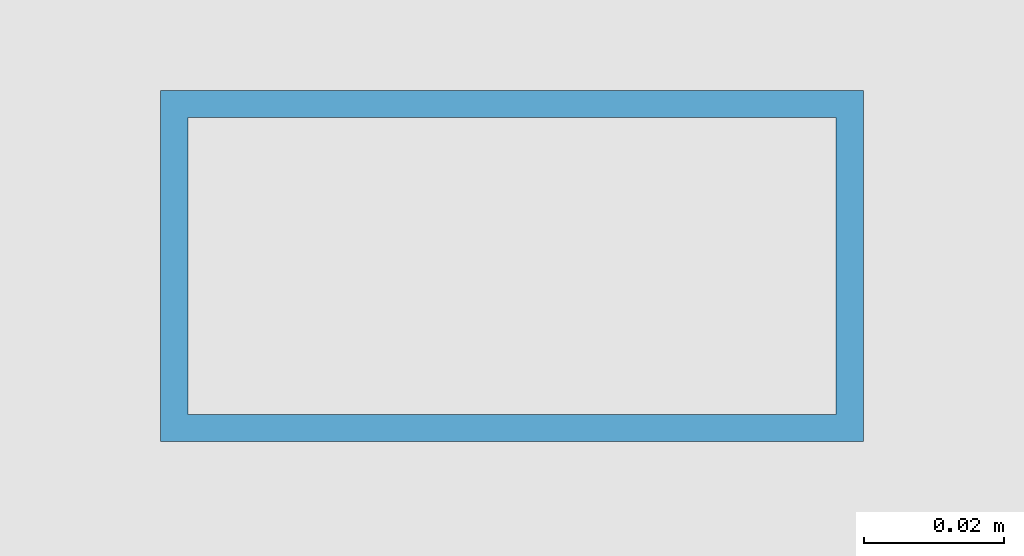
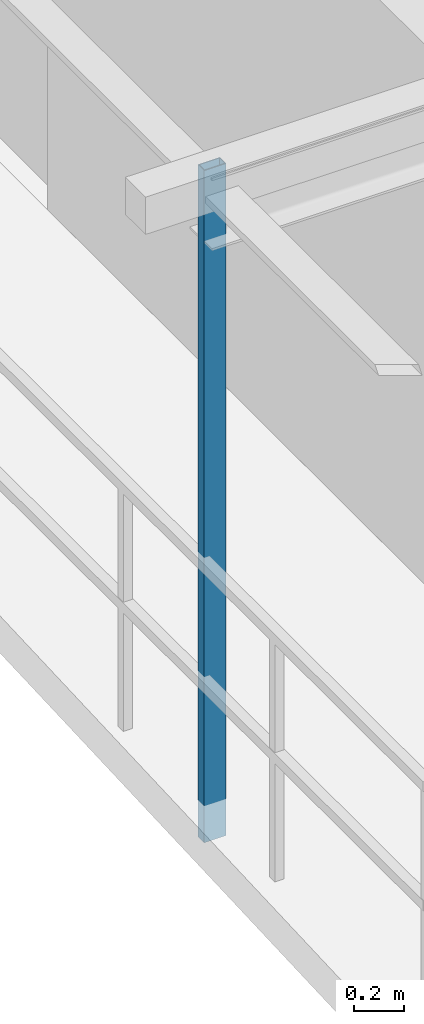
# One storey, part 3 of 16: 1 member.
"""IFC4 building model written with IfcOpenShell, lengths in metres."""

import ifcopenshell
import ifcopenshell.guid

model = None  # the IFC model being written
_history = None  # IfcOwnerHistory: only IFC2X3 demands one
_inside = {}  # id of a spatial element -> (the spatial element, [elements in it])
_under = {}  # id of a project, library or spatial element -> (it, [spatial elements below it])
_declared = {}  # id of a project -> (the project, [libraries it declares])
_typed = {}  # id of a type object -> (the type object, [elements of that type])
_made_of = {}  # id of a material, layer set ... -> (it, [elements and type objects made of it])


def new_model(schema):
    """Start an empty IFC model of exactly this schema.

    Asked for "IFC4X3", IfcOpenShell would pick the latest addendum, in which some entities
    have other attributes; the version numbers below select the first issue.
    IFC2X3 requires an IfcOwnerHistory on every rooted entity: one is made here for all.
    """
    global model, _history
    if schema == "IFC4X3":
        model = ifcopenshell.file(schema_version=(4, 3, 0, 0))
    else:
        model = ifcopenshell.file(schema=schema)
    _inside.clear()
    _under.clear()
    _declared.clear()
    _typed.clear()
    _made_of.clear()
    _history = None
    if model.schema == "IFC2X3":
        org = make("IfcOrganization", Name="unknown")
        user = make(
            "IfcPersonAndOrganization",
            ThePerson=make("IfcPerson", FamilyName="unknown"),
            TheOrganization=org,
        )
        app = make(
            "IfcApplication",
            ApplicationDeveloper=org,
            Version="unknown",
            ApplicationFullName="unknown",
            ApplicationIdentifier="unknown",
        )
        _history = make(
            "IfcOwnerHistory",
            OwningUser=user,
            OwningApplication=app,
            ChangeAction="ADDED",
            CreationDate=0,
        )
    return model


def make(cls, **values):
    """One entity of the class cls with the attributes given. An attribute that is None is left unset."""
    return model.create_entity(
        cls, **{name: value for name, value in values.items() if value is not None}
    )


def rooted(cls, **values):
    """An entity with a GlobalId (a new one), such as an element, a storey or a relation."""
    return make(cls, GlobalId=ifcopenshell.guid.new(), OwnerHistory=_history, **values)


def si_unit(unit_type, name, prefix=None):
    """IfcSIUnit, for example si_unit("LENGTHUNIT", "METRE", prefix="MILLI")."""
    return make("IfcSIUnit", UnitType=unit_type, Prefix=prefix, Name=name)


def assignment(units):
    """IfcUnitAssignment: the units of a project."""
    return None if units is None else make("IfcUnitAssignment", Units=units)


def point(xyz):
    """IfcCartesianPoint."""
    return None if xyz is None else make("IfcCartesianPoint", Coordinates=xyz)


def direction(xyz):
    """IfcDirection."""
    return None if xyz is None else make("IfcDirection", DirectionRatios=xyz)


def frame(location, z_axis=None, x_axis=None):
    """IfcAxis2Placement3D, a coordinate frame: its origin and axes. An axis left out is left unset."""
    return make(
        "IfcAxis2Placement3D",
        Location=point(location),
        Axis=direction(z_axis),
        RefDirection=direction(x_axis),
    )


def frame_2d(location, x_axis=None):
    """IfcAxis2Placement2D, a coordinate frame in the plane: its origin and x axis."""
    return make(
        "IfcAxis2Placement2D", Location=point(location), RefDirection=direction(x_axis)
    )


def origin():
    """The frame at (0, 0, 0) with its axes left unset."""
    return frame((0.0, 0.0, 0.0))


def origin_2d():
    """The frame at (0, 0) in the plane with its x axis left unset."""
    return frame_2d((0.0, 0.0))


def place(relative_to, where):
    """IfcLocalPlacement: puts the frame where relative to a parent placement (None: the world)."""
    return make(
        "IfcLocalPlacement", PlacementRelTo=relative_to, RelativePlacement=where
    )


def context(
    kind, dimensions, precision=None, world=None, true_north=None, identifier=None
):
    """IfcGeometricRepresentationContext, for example the 3D "Model" context."""
    return make(
        "IfcGeometricRepresentationContext",
        ContextIdentifier=identifier,
        ContextType=kind,
        CoordinateSpaceDimension=dimensions,
        Precision=precision,
        WorldCoordinateSystem=world,
        TrueNorth=true_north,
    )


def subcontext(parent, identifier, kind, view, scale=None):
    """IfcGeometricRepresentationSubContext, for example "Body" below "Model"."""
    return make(
        "IfcGeometricRepresentationSubContext",
        ContextIdentifier=identifier,
        ContextType=kind,
        ParentContext=parent,
        TargetScale=scale,
        TargetView=view,
    )


def project(units=None, contexts=None):
    """IfcProject with its units and contexts."""
    return rooted(
        "IfcProject",
        Name="project",
        RepresentationContexts=contexts,
        UnitsInContext=assignment(units),
    )


def spatial(cls, under=None, at=None, **own):
    """A site, building, storey or space (cls), placed at a placement, below another one or the project."""
    s = rooted(cls, ObjectPlacement=at, **own)
    if under is not None:
        _under.setdefault(under.id(), (under, []))[1].append(s)
    return s


def profile(cls, at=None, kind="AREA", **sizes):
    """A parametric profile (cls). Its sizes go by their IFC names, for example OverallWidth=200.0."""
    return make(cls, ProfileType=kind, Position=at, **sizes)


def hollow_rectangle(**sizes):
    """IfcRectangleHollowProfileDef."""
    return profile("IfcRectangleHollowProfileDef", **sizes)


def extrude(swept, where, along, depth):
    """IfcExtrudedAreaSolid: the profile swept, set in the frame where, extruded along a direction by depth."""
    return make(
        "IfcExtrudedAreaSolid",
        SweptArea=swept,
        Position=where,
        ExtrudedDirection=direction(along),
        Depth=depth,
    )


def shape(context_of_items, identifier, shape_type, items):
    """IfcShapeRepresentation: the items that make up one representation, for example the "Body"."""
    return make(
        "IfcShapeRepresentation",
        ContextOfItems=context_of_items,
        RepresentationIdentifier=identifier,
        RepresentationType=shape_type,
        Items=items,
    )


def source(mapping_origin, context_of_items, identifier, shape_type, items):
    """IfcRepresentationMap: a shape defined once, which mapped items show again and again."""
    return make(
        "IfcRepresentationMap",
        MappingOrigin=mapping_origin,
        MappedRepresentation=shape(context_of_items, identifier, shape_type, items),
    )


def transform(
    local_origin,
    x_axis=None,
    y_axis=None,
    z_axis=None,
    scale=None,
    scale2=None,
    scale3=None,
    uniform=True,
):
    """IfcCartesianTransformationOperator3D, or its non-uniform kind. x_axis, y_axis, z_axis: its Axis1, 2, 3."""
    if uniform:
        return make(
            "IfcCartesianTransformationOperator3D",
            Axis1=direction(x_axis),
            Axis2=direction(y_axis),
            LocalOrigin=point(local_origin),
            Scale=scale,
            Axis3=direction(z_axis),
        )
    return make(
        "IfcCartesianTransformationOperator3DnonUniform",
        Axis1=direction(x_axis),
        Axis2=direction(y_axis),
        LocalOrigin=point(local_origin),
        Scale=scale,
        Axis3=direction(z_axis),
        Scale2=scale2,
        Scale3=scale3,
    )


def mapped(mapping_source, mapping_target):
    """IfcMappedItem: shows the shape of a source again, moved by a transform."""
    return make(
        "IfcMappedItem", MappingSource=mapping_source, MappingTarget=mapping_target
    )


def material(Name=None, Category=None):
    """IfcMaterial."""
    return make("IfcMaterial", Name=Name, Category=Category)


def material_profile(
    of_material, cross_section, Name=None, Category=None, Priority=None
):
    """IfcMaterialProfile: a cross section and its material."""
    return make(
        "IfcMaterialProfile",
        Name=Name,
        Material=of_material,
        Profile=cross_section,
        Priority=Priority,
        Category=Category,
    )


def profile_set(profiles, Name=None, composite=None):
    """IfcMaterialProfileSet."""
    return make(
        "IfcMaterialProfileSet",
        Name=Name,
        MaterialProfiles=profiles,
        CompositeProfile=composite,
    )


def made_of(thing, what):
    """Note that an element or type object is made of a material, layer set ...; save() writes the relation."""
    if what is not None:
        _made_of.setdefault(what.id(), (what, []))[1].append(thing)
    return thing


def type_object(cls, material=None, **own):
    """A type object (cls), such as IfcWallType, which elements share."""
    return made_of(rooted(cls, **own), material)


def element(
    cls,
    number,
    at=None,
    inside=None,
    cuts=None,
    type_object=None,
    material=None,
    context=None,
    identifier="Body",
    shape_type=None,
    held_by="IfcProductDefinitionShape",
    body=None,
    shapes=None,
    **own,
):
    """One element of the class cls, such as IfcWall. Its Tag is "e" and its number.

    at: its placement. inside: the storey or other place that contains it. cuts: it is an
    opening in that element (IfcRelVoidsElement). A single representation is given by context,
    identifier, shape_type and body (its items); several are given by shapes. held_by: the class
    of the entity that holds the representations. save() writes the other relations.
    """
    e = rooted(cls, Tag="e%d" % number, ObjectPlacement=at, **own)
    if body is not None:
        shapes = [shape(context, identifier, shape_type, body)]
    if shapes is not None:
        e.Representation = make(held_by, Representations=shapes)
    if inside is not None:
        _inside.setdefault(inside.id(), (inside, []))[1].append(e)
    if cuts is not None:
        rooted(
            "IfcRelVoidsElement", RelatingBuildingElement=cuts, RelatedOpeningElement=e
        )
    if type_object is not None:
        _typed.setdefault(type_object.id(), (type_object, []))[1].append(e)
    return made_of(e, material)


def aggregate(whole, parts):
    """IfcRelAggregates: a whole, such as a stair, and the parts it consists of."""
    return rooted("IfcRelAggregates", RelatingObject=whole, RelatedObjects=parts)


def save(model, path):
    """Write the relations noted so far, then the file.

    IfcRelAggregates (storeys below a building ...), IfcRelContainedInSpatialStructure (elements
    in a storey), IfcRelDefinesByType, IfcRelAssociatesMaterial and IfcRelDeclares: one each for
    every whole, place, type object, material and project.
    """
    for whole, parts in _under.values():
        aggregate(whole, parts)
    for where, things in _inside.values():
        rooted(
            "IfcRelContainedInSpatialStructure",
            RelatedElements=things,
            RelatingStructure=where,
        )
    for kind, things in _typed.values():
        rooted("IfcRelDefinesByType", RelatedObjects=things, RelatingType=kind)
    for what, things in _made_of.values():
        rooted("IfcRelAssociatesMaterial", RelatedObjects=things, RelatingMaterial=what)
    for by, libraries in _declared.values():
        rooted("IfcRelDeclares", RelatingContext=by, RelatedDefinitions=libraries)
    model.write(path)


model = new_model("IFC4")

# Units and contexts
model_context = context("Model", 3, precision=1e-05, world=origin(), true_north=direction((0.0, 1.0)))
body_context = subcontext(model_context, "Body", "Model", "MODEL_VIEW")
ifc_project = project(units=[si_unit("LENGTHUNIT", "METRE"), si_unit("AREAUNIT", "SQUARE_METRE"), si_unit("VOLUMEUNIT", "CUBIC_METRE"), si_unit("PLANEANGLEUNIT", "RADIAN"), si_unit("MASSUNIT", "GRAM", prefix="KILO"), si_unit("THERMODYNAMICTEMPERATUREUNIT", "KELVIN"), si_unit("POWERUNIT", "WATT")], contexts=[model_context])

# Site, building, storey
site_placement = place(None, origin())
site = spatial("IfcSite", under=ifc_project, at=site_placement, CompositionType="ELEMENT")
building_placement = place(site_placement, origin())
building = spatial("IfcBuilding", under=site, at=building_placement, Name="Qiaomeng Ring Towers", CompositionType="ELEMENT")
storey_placement = place(building_placement, frame((0.0, 0.0, 216.5)))
storey = spatial("IfcBuildingStorey", under=building, at=storey_placement, Name="L63", CompositionType="ELEMENT", Elevation=216.5)

# Member
ifc_material = material(Name="Stainless steel 316", Category="steel")
ifc_material_profile = material_profile(ifc_material, hollow_rectangle(XDim=0.050048828125, YDim=0.10009765625, WallThickness=0.00390625, at=origin_2d()), Name="SS TRELLIS 100x50")
ifc_profile_set = profile_set([ifc_material_profile], Name="Stainless steel 316")
member_type = type_object("IfcMemberType", Name="ARC-TR-POST2", PredefinedType="STUD", material=ifc_profile_set)
shared_shape = source(origin(), body_context, "Body", "SweptSolid", [
    extrude(hollow_rectangle(XDim=0.050048828125, YDim=0.10009765625, WallThickness=0.00390625, at=origin_2d()), origin(), (0.0, 0.0, 1.0), 3.25),
])
member_placement = place(storey_placement, frame((0.72998046875, 20.0, -0.179931640625), z_axis=(0.0, 0.0, 1.0), x_axis=(0.0, 1.0, 0.0)))
element("IfcMember", 1, at=member_placement, inside=storey, type_object=member_type, Name="L63 Outer Ventilated Trellis Post W", PredefinedType="STUD", context=body_context, shape_type="MappedRepresentation", body=[
    mapped(shared_shape, transform((0.0, 0.0, 0.0), x_axis=(1.0, 0.0, 0.0), y_axis=(0.0, 1.0, 0.0), z_axis=(0.0, 0.0, 1.0), scale=1.0)),
])

save(model, "model.ifc")
